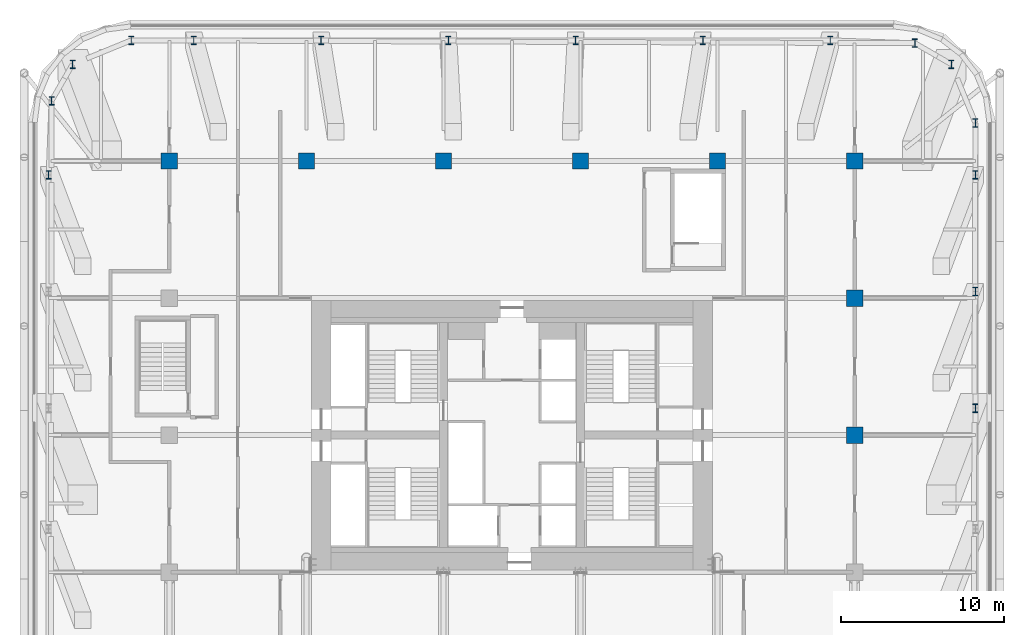
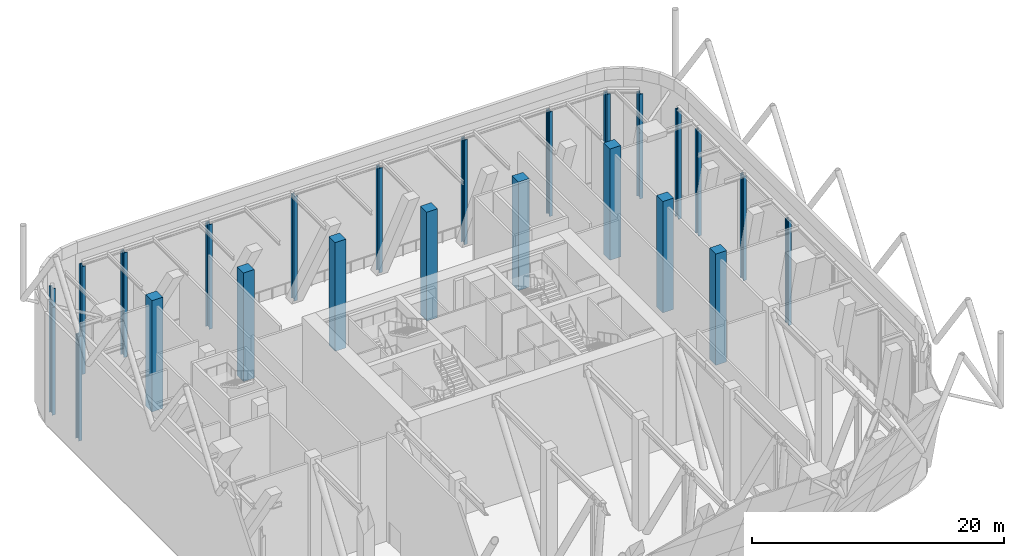
# One storey, part 2 of 19: 24 columns.
"""IFC4 building model written with IfcOpenShell, lengths in metres."""

from ifc_helpers import new_model, si_unit, direction, frame, origin, origin_2d, place, context, subcontext, project, spatial, rectangle, i_section, extrude, material, material_profile, profile_set, type_object, element, save


model = new_model("IFC4")

# Units and contexts
model_context = context("Model", 3, precision=1e-05, world=origin(), true_north=direction((0.0, 1.0)))
body_context = subcontext(model_context, "Body", "Model", "MODEL_VIEW")
ifc_project = project(units=[si_unit("LENGTHUNIT", "METRE"), si_unit("AREAUNIT", "SQUARE_METRE"), si_unit("VOLUMEUNIT", "CUBIC_METRE"), si_unit("PLANEANGLEUNIT", "RADIAN"), si_unit("MASSUNIT", "GRAM", prefix="KILO")], contexts=[model_context])

# Site, building, storey
site_placement = place(None, origin())
site = spatial("IfcSite", under=ifc_project, at=site_placement, CompositionType="ELEMENT")
building_placement = place(site_placement, origin())
building = spatial("IfcBuilding", under=site, at=building_placement, Name="Marenta Gate Hotel Tower", CompositionType="ELEMENT")
storey_placement = place(building_placement, frame((0.0, 0.0, 86.89990234375)))
storey = spatial("IfcBuildingStorey", under=building, at=storey_placement, Name="L20", CompositionType="ELEMENT", Elevation=86.89990234375)

# Columns
ifc_material_1 = material(Name="Concrete C80", Category="concrete")
ifc_material_profile_1 = material_profile(ifc_material_1, rectangle(XDim=1.0, YDim=1.0, at=origin_2d()), Name="1000 x 1000")
ifc_profile_set_1 = profile_set([ifc_material_profile_1], Name="Concrete C80")
column_type_1 = type_object("IfcColumnType", Name="Interior column 1000 x 1000 C80", PredefinedType="COLUMN", material=ifc_profile_set_1)
column_1_placement = place(storey_placement, frame((-21.0, 25.199951171875, 0.0), z_axis=(0.0, 0.0, 1.0), x_axis=(1.0, 0.0, 0.0)))
element("IfcColumn", 1, at=column_1_placement, inside=storey, type_object=column_type_1, Name="L20-IC-4I", PredefinedType="COLUMN", context=body_context, shape_type="SweptSolid", body=[
    extrude(rectangle(XDim=1.0, YDim=1.0, at=origin_2d()), origin(), (0.0, 0.0, 1.0), 10.800048828125),
])
for number, where, z_axis, x_axis, name in (
    (2, (-12.60009765625, 25.199951171875, 0.0), (0.0, 0.0, 1.0), (1.0, 0.0, 0.0), "L20-IC-5I"),
    (3, (-4.199951171875, 25.199951171875, 0.0), (0.0, 0.0, 1.0), (1.0, 0.0, 0.0), "L20-IC-6I"),
    (4, (4.199951171875, 25.199951171875, 0.0), (0.0, 0.0, 1.0), (1.0, 0.0, 0.0), "L20-IC-7I"),
    (5, (12.60009765625, 25.199951171875, 0.0), (0.0, 0.0, 1.0), (1.0, 0.0, 0.0), "L20-IC-8I"),
):
    element("IfcColumn", number, at=place(storey_placement, frame(where, z_axis=z_axis, x_axis=x_axis)), inside=storey, type_object=column_type_1, Name=name, PredefinedType="COLUMN", context=body_context, shape_type="SweptSolid", body=[
        extrude(rectangle(XDim=1.0, YDim=1.0, at=origin_2d()), origin(), (0.0, 0.0, 1.0), 10.5400390625),
    ])
for number, where, z_axis, x_axis, name in (
    (6, (21.0, 8.39990234375, 0.0), (0.0, 0.0, 1.0), (1.0, 0.0, 0.0), "L20-IC-9G"),
    (7, (21.0, 16.800048828125, 0.0), (0.0, 0.0, 1.0), (1.0, 0.0, 0.0), "L20-IC-9H"),
    (8, (21.0, 25.199951171875, 0.0), (0.0, 0.0, 1.0), (1.0, 0.0, 0.0), "L20-IC-9I"),
):
    element("IfcColumn", number, at=place(storey_placement, frame(where, z_axis=z_axis, x_axis=x_axis)), inside=storey, type_object=column_type_1, Name=name, PredefinedType="COLUMN", context=body_context, shape_type="SweptSolid", body=[
        extrude(rectangle(XDim=1.0, YDim=1.0, at=origin_2d()), origin(), (0.0, 0.0, 1.0), 10.800048828125),
    ])
ifc_material_2 = material(Name="Steel S355", Category="steel")
ifc_material_profile_2 = material_profile(ifc_material_2, i_section(OverallWidth=0.305908203125, OverallDepth=0.52392578125, WebThickness=0.02392578125, FlangeThickness=0.0400390625, FilletRadius=0.027099609375, at=origin_2d()), Name="HEM 500")
ifc_profile_set_2 = profile_set([ifc_material_profile_2], Name="Steel S355")
column_type_2 = type_object("IfcColumnType", Name="Terrace post HEM 500", PredefinedType="COLUMN", material=ifc_profile_set_2)
column_2_placement = place(storey_placement, frame((-28.39990234375, 24.3564453125, 0.0), z_axis=(0.0, 0.0, 1.0), x_axis=(1.0, 0.0, 0.0)))
element("IfcColumn", 9, at=column_2_placement, inside=storey, type_object=column_type_2, Name="TP-HEM500 L20-TP-7", PredefinedType="COLUMN", context=body_context, shape_type="SweptSolid", body=[
    extrude(i_section(OverallWidth=0.305908203125, OverallDepth=0.52392578125, WebThickness=0.02392578125, FlangeThickness=0.0400390625, FilletRadius=0.027099609375, at=origin_2d()), origin(), (0.0, 0.0, 1.0), 10.14013671875),
])
column_3_placement = place(storey_placement, frame((-28.221435546875, 28.891845703125, -0.2998046875), z_axis=(0.0, 0.0, 1.0), x_axis=(1.0, 0.0, 0.0)))
element("IfcColumn", 10, at=column_3_placement, inside=storey, type_object=column_type_2, Name="TP-HEM500 L20-TP-8", PredefinedType="COLUMN", context=body_context, shape_type="SweptSolid", body=[
    extrude(i_section(OverallWidth=0.305908203125, OverallDepth=0.52392578125, WebThickness=0.02392578125, FlangeThickness=0.0400390625, FilletRadius=0.027099609375, at=origin_2d()), origin(), (0.0, 0.0, 1.0), 10.43994140625),
])
column_4_placement = place(storey_placement, frame((-26.929443359375, 31.12939453125, 0.0), z_axis=(0.0, 0.0, 1.0), x_axis=(1.0, 0.0, 0.0)))
element("IfcColumn", 11, at=column_4_placement, inside=storey, type_object=column_type_2, Name="TP-HEM500 L20-TP-9", PredefinedType="COLUMN", context=body_context, shape_type="SweptSolid", body=[
    extrude(i_section(OverallWidth=0.305908203125, OverallDepth=0.52392578125, WebThickness=0.02392578125, FlangeThickness=0.0400390625, FilletRadius=0.027099609375, at=origin_2d()), origin(), (0.0, 0.0, 1.0), 10.14013671875),
])
column_5_placement = place(storey_placement, frame((-23.33447265625, 32.60009765625, -0.2998046875), z_axis=(0.0, 0.0, 1.0), x_axis=(1.0, 0.0, 0.0)))
element("IfcColumn", 12, at=column_5_placement, inside=storey, type_object=column_type_2, Name="TP-HEM500 L20-TP-10", PredefinedType="COLUMN", context=body_context, shape_type="SweptSolid", body=[
    extrude(i_section(OverallWidth=0.305908203125, OverallDepth=0.52392578125, WebThickness=0.02392578125, FlangeThickness=0.0400390625, FilletRadius=0.027099609375, at=origin_2d()), origin(), (0.0, 0.0, 1.0), 10.43994140625),
])
for number, where, z_axis, x_axis, name in (
    (13, (-19.5068359375, 32.60009765625, 0.0), (0.0, 0.0, 1.0), (1.0, 0.0, 0.0), "TP-HEM500 L20-TP-11"),
    (14, (-11.7041015625, 32.60009765625, 0.0), (0.0, 0.0, 1.0), (1.0, 0.0, 0.0), "TP-HEM500 L20-TP-12"),
    (15, (-3.9013671875, 32.60009765625, 0.0), (0.0, 0.0, 1.0), (1.0, 0.0, 0.0), "TP-HEM500 L20-TP-13"),
    (16, (3.9013671875, 32.60009765625, 0.0), (0.0, 0.0, 1.0), (1.0, 0.0, 0.0), "TP-HEM500 L20-TP-14"),
    (17, (11.7041015625, 32.60009765625, 0.0), (0.0, 0.0, 1.0), (1.0, 0.0, 0.0), "TP-HEM500 L20-TP-15"),
    (18, (19.5068359375, 32.60009765625, 0.0), (0.0, 0.0, 1.0), (1.0, 0.0, 0.0), "TP-HEM500 L20-TP-16"),
):
    element("IfcColumn", number, at=place(storey_placement, frame(where, z_axis=z_axis, x_axis=x_axis)), inside=storey, type_object=column_type_2, Name=name, PredefinedType="COLUMN", context=body_context, shape_type="SweptSolid", body=[
        extrude(i_section(OverallWidth=0.305908203125, OverallDepth=0.52392578125, WebThickness=0.02392578125, FlangeThickness=0.0400390625, FilletRadius=0.027099609375, at=origin_2d()), origin(), (0.0, 0.0, 1.0), 10.14013671875),
    ])
column_6_placement = place(storey_placement, frame((24.69189453125, 32.42138671875, -0.2998046875), z_axis=(0.0, 0.0, 1.0), x_axis=(1.0, 0.0, 0.0)))
element("IfcColumn", 19, at=column_6_placement, inside=storey, type_object=column_type_2, Name="TP-HEM500 L20-TP-17", PredefinedType="COLUMN", context=body_context, shape_type="SweptSolid", body=[
    extrude(i_section(OverallWidth=0.305908203125, OverallDepth=0.52392578125, WebThickness=0.02392578125, FlangeThickness=0.0400390625, FilletRadius=0.027099609375, at=origin_2d()), origin(), (0.0, 0.0, 1.0), 10.43994140625),
])
column_7_placement = place(storey_placement, frame((26.929443359375, 31.12939453125, 0.0), z_axis=(0.0, 0.0, 1.0), x_axis=(1.0, 0.0, 0.0)))
element("IfcColumn", 20, at=column_7_placement, inside=storey, type_object=column_type_2, Name="TP-HEM500 L20-TP-18", PredefinedType="COLUMN", context=body_context, shape_type="SweptSolid", body=[
    extrude(i_section(OverallWidth=0.305908203125, OverallDepth=0.52392578125, WebThickness=0.02392578125, FlangeThickness=0.0400390625, FilletRadius=0.027099609375, at=origin_2d()), origin(), (0.0, 0.0, 1.0), 10.14013671875),
])
column_8_placement = place(storey_placement, frame((28.39990234375, 27.534423828125, -0.2998046875), z_axis=(0.0, 0.0, 1.0), x_axis=(1.0, 0.0, 0.0)))
element("IfcColumn", 21, at=column_8_placement, inside=storey, type_object=column_type_2, Name="TP-HEM500 L20-TP-19", PredefinedType="COLUMN", context=body_context, shape_type="SweptSolid", body=[
    extrude(i_section(OverallWidth=0.305908203125, OverallDepth=0.52392578125, WebThickness=0.02392578125, FlangeThickness=0.0400390625, FilletRadius=0.027099609375, at=origin_2d()), origin(), (0.0, 0.0, 1.0), 10.43994140625),
])
for number, where, z_axis, x_axis, name in (
    (22, (28.39990234375, 24.3564453125, 0.0), (0.0, 0.0, 1.0), (1.0, 0.0, 0.0), "TP-HEM500 L20-TP-20"),
    (23, (28.39990234375, 17.203125, 0.0), (0.0, 0.0, 1.0), (1.0, 0.0, 0.0), "TP-HEM500 L20-TP-21"),
    (24, (28.39990234375, 10.050048828125, 0.0), (0.0, 0.0, 1.0), (1.0, 0.0, 0.0), "TP-HEM500 L20-TP-22"),
):
    element("IfcColumn", number, at=place(storey_placement, frame(where, z_axis=z_axis, x_axis=x_axis)), inside=storey, type_object=column_type_2, Name=name, PredefinedType="COLUMN", context=body_context, shape_type="SweptSolid", body=[
        extrude(i_section(OverallWidth=0.305908203125, OverallDepth=0.52392578125, WebThickness=0.02392578125, FlangeThickness=0.0400390625, FilletRadius=0.027099609375, at=origin_2d()), origin(), (0.0, 0.0, 1.0), 10.14013671875),
    ])

save(model, "model.ifc")
